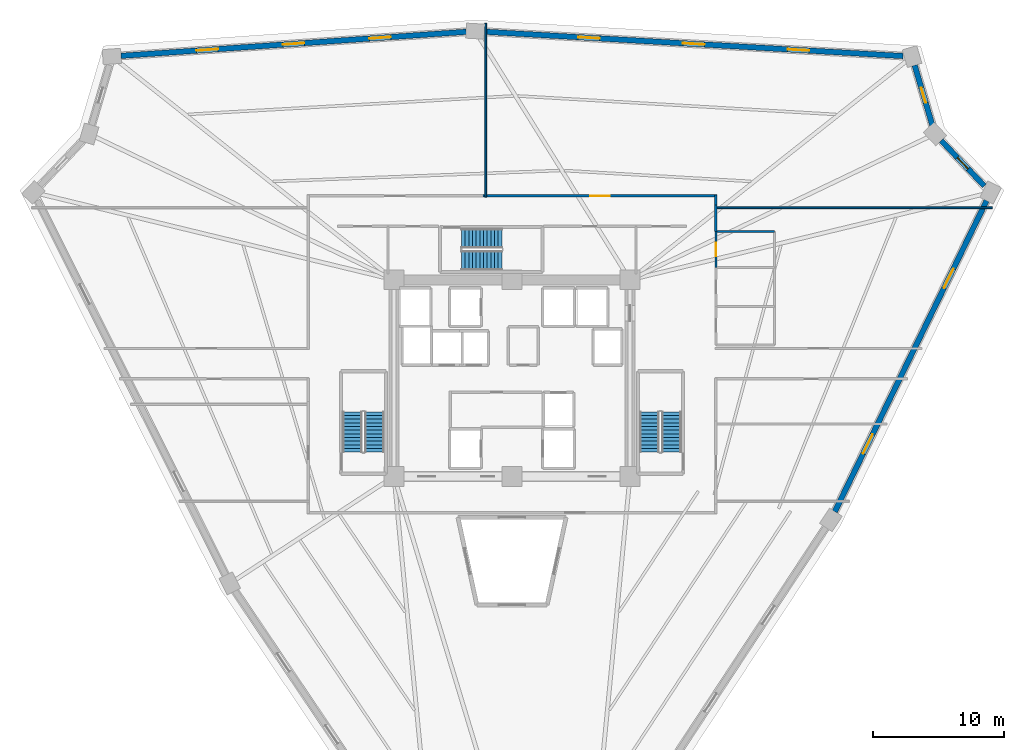
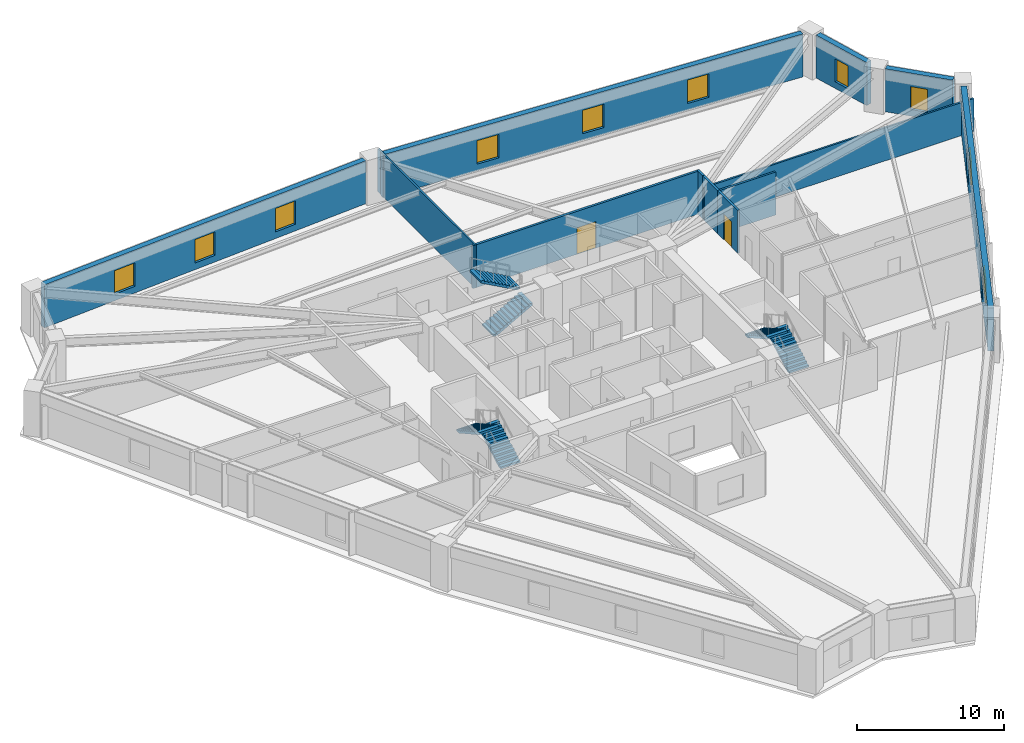
# One storey, part 6 of 7: 12 walls, 10 windows, 6 stair flights, 2 doors, 12 openings, 3 elements without a shape of their own.
"""IFC4 building model written with IfcOpenShell, lengths in metres."""

from ifc_helpers import new_model, si_unit, direction, frame, frame_2d, origin, place, context, subcontext, project, spatial, polyline, rectangle, outline, extrude, source, transform, mapped, material, layer, layer_set, type_object, element, fill, aggregate, save


model = new_model("IFC4")

# Units and contexts
model_context = context("Model", 3, precision=1e-05, world=origin(), true_north=direction((0.0, 1.0)))
body_context = subcontext(model_context, "Body", "Model", "MODEL_VIEW")
ifc_project = project(units=[si_unit("LENGTHUNIT", "METRE"), si_unit("AREAUNIT", "SQUARE_METRE"), si_unit("VOLUMEUNIT", "CUBIC_METRE"), si_unit("PLANEANGLEUNIT", "RADIAN"), si_unit("MASSUNIT", "GRAM", prefix="KILO")], contexts=[model_context])

# Site, building, storey
site_placement = place(None, origin())
site = spatial("IfcSite", under=ifc_project, at=site_placement, CompositionType="ELEMENT")
building_placement = place(site_placement, origin())
building = spatial("IfcBuilding", under=site, at=building_placement, Name="Liaohun Quay Tower", CompositionType="ELEMENT")
storey_placement = place(building_placement, frame((0.0, 0.0, 117.0)))
storey = spatial("IfcBuildingStorey", under=building, at=storey_placement, Name="L30", CompositionType="ELEMENT", Elevation=117.0)

# Wall, openings, windows
ifc_material_1 = material(Name="Precast concrete C50 insulated sandwich", Category="concrete")
ifc_layer_1 = layer(ifc_material_1, 0.419921875, Name="Precast concrete C50 insulated sandwich", Category="concrete")
ifc_layer_set_1 = layer_set([ifc_layer_1], Name="Precast concrete C50 insulated sandwich")
wall_type_1 = type_object("IfcWallType", Name="WAL-EXT-Z12", PredefinedType="SOLIDWALL", material=ifc_layer_set_1)
wall_1_placement = place(storey_placement, frame((84.632080078125, 43.80810546875, 0.0), z_axis=(0.0, 0.0, 1.0), x_axis=(0.43854819507, 0.898707672495, 0.0)))
wall_1 = element("IfcWall", 1, at=wall_1_placement, inside=storey, type_object=wall_type_1, Name="L30 Brutalist Precast Pier Wall 03", PredefinedType="SOLIDWALL", context=body_context, shape_type="SweptSolid", body=[
    extrude(rectangle(XDim=26.412109375, YDim=0.419921875, at=frame_2d((13.2060546875, 0.0))), origin(), (0.0, 0.0, 1.0), 3.570068359375),
])
shared_shape_1 = source(origin(), body_context, "Body", "SweptSolid", [
    extrude(rectangle(XDim=1.64990234375, YDim=1.949951171875, at=frame_2d((0.824951171875, 0.97509765625))), frame((0.0, 0.219970703125, 0.0), z_axis=(0.0, -1.0, 0.0), x_axis=(1.0, 0.0, 0.0)), (0.0, 0.0, 1.0), 0.43994140625),
])
opening_1_placement = place(wall_1_placement, frame((4.927978515625, 0.0, 0.550048828125)))
opening_1 = element("IfcOpeningElement", 2, at=opening_1_placement, cuts=wall_1, Name="Opening W02", PredefinedType="OPENING", context=body_context, shape_type="MappedRepresentation", body=[
    mapped(shared_shape_1, transform((0.0, 0.0, 0.0), x_axis=(1.0, 0.0, 0.0), y_axis=(0.0, 1.0, 0.0), z_axis=(0.0, 0.0, 1.0), scale=1.0)),
])
opening_2_placement = place(wall_1_placement, frame((18.98388671875, 0.0, 0.550048828125)))
opening_2 = element("IfcOpeningElement", 3, at=opening_2_placement, cuts=wall_1, Name="Opening W02", PredefinedType="OPENING", context=body_context, shape_type="MappedRepresentation", body=[
    mapped(shared_shape_1, transform((0.0, 0.0, 0.0), x_axis=(1.0, 0.0, 0.0), y_axis=(0.0, 1.0, 0.0), z_axis=(0.0, 0.0, 1.0), scale=1.0)),
])
ifc_material_2 = material(Name="Triple Low-E argon glazing in thermally broken aluminium", Category="aluminium")
window_type_1 = type_object("IfcWindowType", Name="WIN-PUN-Z2", PartitioningType="DOUBLE_PANEL_VERTICAL", PredefinedType="WINDOW", material=ifc_material_2)
shared_shape_2 = source(origin(), body_context, "Body", "SweptSolid", [
    extrude(rectangle(XDim=1.64990234375, YDim=1.949951171875, at=frame_2d((0.824951171875, 0.97509765625))), frame((0.0, 0.030029296875, 0.0), z_axis=(0.0, -1.0, 0.0), x_axis=(1.0, 0.0, 0.0)), (0.0, 0.0, 1.0), 0.06005859375),
])
window_1_placement = place(opening_1_placement, origin())
window_1 = element("IfcWindow", 4, at=window_1_placement, inside=storey, type_object=window_type_1, Name="L30 Recessed Cold-Climate Punched Window 03-1", OverallHeight=1.949951171875, OverallWidth=1.64990234375, PartitioningType="DOUBLE_PANEL_VERTICAL", PredefinedType="WINDOW", context=body_context, shape_type="MappedRepresentation", body=[
    mapped(shared_shape_2, transform((0.0, 0.0, 0.0), x_axis=(1.0, 0.0, 0.0), y_axis=(0.0, 1.0, 0.0), z_axis=(0.0, 0.0, 1.0), scale=1.0)),
])
fill(opening_1, window_1)
window_2_placement = place(opening_2_placement, origin())
window_2 = element("IfcWindow", 5, at=window_2_placement, inside=storey, type_object=window_type_1, Name="L30 Recessed Cold-Climate Punched Window 03-3", OverallHeight=1.949951171875, OverallWidth=1.64990234375, PartitioningType="DOUBLE_PANEL_VERTICAL", PredefinedType="WINDOW", context=body_context, shape_type="MappedRepresentation", body=[
    mapped(shared_shape_2, transform((0.0, 0.0, 0.0), x_axis=(1.0, 0.0, 0.0), y_axis=(0.0, 1.0, 0.0), z_axis=(0.0, 0.0, 1.0), scale=1.0)),
])
fill(opening_2, window_2)

# Wall, opening, window
wall_2_placement = place(storey_placement, frame((96.0419921875, 68.6650390625, 0.0), z_axis=(0.0, 0.0, 1.0), x_axis=(-0.689201349378, 0.724569872417, 0.0)))
wall_2 = element("IfcWall", 6, at=wall_2_placement, inside=storey, type_object=wall_type_1, Name="L30 Brutalist Precast Pier Wall 04", PredefinedType="SOLIDWALL", context=body_context, shape_type="SweptSolid", body=[
    extrude(rectangle(XDim=4.78369140625, YDim=0.419921875, at=frame_2d((2.391845703125, 0.0))), origin(), (0.0, 0.0, 1.0), 3.570068359375),
])
shared_shape_3 = source(origin(), body_context, "Body", "SweptSolid", [
    extrude(rectangle(XDim=1.199951171875, YDim=1.89990234375, at=frame_2d((0.60009765625, 0.949951171875))), frame((0.0, 0.219970703125, 0.0), z_axis=(0.0, -1.0, 0.0), x_axis=(1.0, 0.0, 0.0)), (0.0, 0.0, 1.0), 0.43994140625),
])
opening_3_placement = place(wall_2_placement, frame((1.7919921875, 0.0, 0.550048828125)))
opening_3 = element("IfcOpeningElement", 7, at=opening_3_placement, cuts=wall_2, Name="Opening W05", PredefinedType="OPENING", context=body_context, shape_type="MappedRepresentation", body=[
    mapped(shared_shape_3, transform((0.0, 0.0, 0.0), x_axis=(1.0, 0.0, 0.0), y_axis=(0.0, 1.0, 0.0), z_axis=(0.0, 0.0, 1.0), scale=1.0)),
])
ifc_material_3 = material(Name="Triple Low-E corner notch glazing", Category="glass")
window_type_2 = type_object("IfcWindowType", Name="WIN-NOTCH", PartitioningType="SINGLE_PANEL", PredefinedType="WINDOW", material=ifc_material_3)
shared_shape_4 = source(origin(), body_context, "Body", "SweptSolid", [
    extrude(rectangle(XDim=1.199951171875, YDim=1.89990234375, at=frame_2d((0.60009765625, 0.949951171875))), frame((0.0, 0.030029296875, 0.0), z_axis=(0.0, -1.0, 0.0), x_axis=(1.0, 0.0, 0.0)), (0.0, 0.0, 1.0), 0.06005859375),
])
window_3_placement = place(opening_3_placement, origin())
window_3 = element("IfcWindow", 8, at=window_3_placement, inside=storey, type_object=window_type_2, Name="L30 Corner Notch Window W05-04", OverallHeight=1.89990234375, OverallWidth=1.199951171875, PartitioningType="SINGLE_PANEL", PredefinedType="WINDOW", context=body_context, shape_type="MappedRepresentation", body=[
    mapped(shared_shape_4, transform((0.0, 0.0, 0.0), x_axis=(1.0, 0.0, 0.0), y_axis=(0.0, 1.0, 0.0), z_axis=(0.0, 0.0, 1.0), scale=1.0)),
])
fill(opening_3, window_3)

wall_3_placement = place(storey_placement, frame((92.073974609375, 73.29296875, 0.0), z_axis=(0.0, 0.0, 1.0), x_axis=(-0.282645095573, 0.959224556581, 0.0)))
wall_3 = element("IfcWall", 9, at=wall_3_placement, inside=storey, type_object=wall_type_1, Name="L30 Brutalist Precast Pier Wall 05", PredefinedType="SOLIDWALL", context=body_context, shape_type="SweptSolid", body=[
    extrude(rectangle(XDim=4.77587890625, YDim=0.419921875, at=frame_2d((2.387939453125, 0.0))), origin(), (0.0, 0.0, 1.0), 3.570068359375),
])
opening_4_placement = place(wall_3_placement, frame((1.7880859375, 0.0, 0.550048828125)))
opening_4 = element("IfcOpeningElement", 10, at=opening_4_placement, cuts=wall_3, Name="Opening W05", PredefinedType="OPENING", context=body_context, shape_type="MappedRepresentation", body=[
    mapped(shared_shape_3, transform((0.0, 0.0, 0.0), x_axis=(1.0, 0.0, 0.0), y_axis=(0.0, 1.0, 0.0), z_axis=(0.0, 0.0, 1.0), scale=1.0)),
])
window_4_placement = place(opening_4_placement, origin())
window_4 = element("IfcWindow", 11, at=window_4_placement, inside=storey, type_object=window_type_2, Name="L30 Corner Notch Window W05-05", OverallHeight=1.89990234375, OverallWidth=1.199951171875, PartitioningType="SINGLE_PANEL", PredefinedType="WINDOW", context=body_context, shape_type="MappedRepresentation", body=[
    mapped(shared_shape_4, transform((0.0, 0.0, 0.0), x_axis=(1.0, 0.0, 0.0), y_axis=(0.0, 1.0, 0.0), z_axis=(0.0, 0.0, 1.0), scale=1.0)),
])
fill(opening_4, window_4)

# Wall, openings, windows
wall_4_placement = place(storey_placement, frame((89.840087890625, 78.575927734375, 0.0), z_axis=(0.0, 0.0, 1.0), x_axis=(-0.99831154776, 0.05808660439, 0.0)))
wall_4 = element("IfcWall", 12, at=wall_4_placement, inside=storey, type_object=wall_type_1, Name="L30 Brutalist Precast Pier Wall 06", PredefinedType="SOLIDWALL", context=body_context, shape_type="SweptSolid", body=[
    extrude(rectangle(XDim=32.006103515625, YDim=0.419921875, at=frame_2d((16.0029296875, 0.0))), origin(), (0.0, 0.0, 1.0), 3.570068359375),
])
opening_5_placement = place(wall_4_placement, frame((7.177001953125, 0.0, 0.550048828125)))
opening_5 = element("IfcOpeningElement", 13, at=opening_5_placement, cuts=wall_4, Name="Opening W02", PredefinedType="OPENING", context=body_context, shape_type="MappedRepresentation", body=[
    mapped(shared_shape_1, transform((0.0, 0.0, 0.0), x_axis=(1.0, 0.0, 0.0), y_axis=(0.0, 1.0, 0.0), z_axis=(0.0, 0.0, 1.0), scale=1.0)),
])
opening_6_placement = place(wall_4_placement, frame((15.177978515625, 0.0, 0.550048828125)))
opening_6 = element("IfcOpeningElement", 14, at=opening_6_placement, cuts=wall_4, Name="Opening W02", PredefinedType="OPENING", context=body_context, shape_type="MappedRepresentation", body=[
    mapped(shared_shape_1, transform((0.0, 0.0, 0.0), x_axis=(1.0, 0.0, 0.0), y_axis=(0.0, 1.0, 0.0), z_axis=(0.0, 0.0, 1.0), scale=1.0)),
])
opening_7_placement = place(wall_4_placement, frame((23.179931640625, 0.0, 0.550048828125)))
opening_7 = element("IfcOpeningElement", 15, at=opening_7_placement, cuts=wall_4, Name="Opening W02", PredefinedType="OPENING", context=body_context, shape_type="MappedRepresentation", body=[
    mapped(shared_shape_1, transform((0.0, 0.0, 0.0), x_axis=(1.0, 0.0, 0.0), y_axis=(0.0, 1.0, 0.0), z_axis=(0.0, 0.0, 1.0), scale=1.0)),
])
window_5_placement = place(opening_5_placement, origin())
window_5 = element("IfcWindow", 16, at=window_5_placement, inside=storey, type_object=window_type_1, Name="L30 Recessed Cold-Climate Punched Window 06-1", OverallHeight=1.949951171875, OverallWidth=1.64990234375, PartitioningType="DOUBLE_PANEL_VERTICAL", PredefinedType="WINDOW", context=body_context, shape_type="MappedRepresentation", body=[
    mapped(shared_shape_2, transform((0.0, 0.0, 0.0), x_axis=(1.0, 0.0, 0.0), y_axis=(0.0, 1.0, 0.0), z_axis=(0.0, 0.0, 1.0), scale=1.0)),
])
fill(opening_5, window_5)
window_6_placement = place(opening_6_placement, origin())
window_6 = element("IfcWindow", 17, at=window_6_placement, inside=storey, type_object=window_type_1, Name="L30 Recessed Cold-Climate Punched Window 06-2", OverallHeight=1.949951171875, OverallWidth=1.64990234375, PartitioningType="DOUBLE_PANEL_VERTICAL", PredefinedType="WINDOW", context=body_context, shape_type="MappedRepresentation", body=[
    mapped(shared_shape_2, transform((0.0, 0.0, 0.0), x_axis=(1.0, 0.0, 0.0), y_axis=(0.0, 1.0, 0.0), z_axis=(0.0, 0.0, 1.0), scale=1.0)),
])
fill(opening_6, window_6)
window_7_placement = place(opening_7_placement, origin())
window_7 = element("IfcWindow", 18, at=window_7_placement, inside=storey, type_object=window_type_1, Name="L30 Recessed Cold-Climate Punched Window 06-3", OverallHeight=1.949951171875, OverallWidth=1.64990234375, PartitioningType="DOUBLE_PANEL_VERTICAL", PredefinedType="WINDOW", context=body_context, shape_type="MappedRepresentation", body=[
    mapped(shared_shape_2, transform((0.0, 0.0, 0.0), x_axis=(1.0, 0.0, 0.0), y_axis=(0.0, 1.0, 0.0), z_axis=(0.0, 0.0, 1.0), scale=1.0)),
])
fill(opening_7, window_7)

wall_5_placement = place(storey_placement, frame((56.510986328125, 80.427001953125, 0.0), z_axis=(0.0, 0.0, 1.0), x_axis=(-0.997581513864, -0.069506281704, 0.0)))
wall_5 = element("IfcWall", 19, at=wall_5_placement, inside=storey, type_object=wall_type_1, Name="L30 Brutalist Precast Pier Wall 07", PredefinedType="SOLIDWALL", context=body_context, shape_type="SweptSolid", body=[
    extrude(rectangle(XDim=26.4140625, YDim=0.419921875, at=frame_2d((13.20703125, 0.0))), origin(), (0.0, 0.0, 1.0), 3.570068359375),
])
opening_8_placement = place(wall_5_placement, frame((5.778076171875, 0.0, 0.550048828125)))
opening_8 = element("IfcOpeningElement", 20, at=opening_8_placement, cuts=wall_5, Name="Opening W02", PredefinedType="OPENING", context=body_context, shape_type="MappedRepresentation", body=[
    mapped(shared_shape_1, transform((0.0, 0.0, 0.0), x_axis=(1.0, 0.0, 0.0), y_axis=(0.0, 1.0, 0.0), z_axis=(0.0, 0.0, 1.0), scale=1.0)),
])
opening_9_placement = place(wall_5_placement, frame((12.382080078125, 0.0, 0.550048828125)))
opening_9 = element("IfcOpeningElement", 21, at=opening_9_placement, cuts=wall_5, Name="Opening W02", PredefinedType="OPENING", context=body_context, shape_type="MappedRepresentation", body=[
    mapped(shared_shape_1, transform((0.0, 0.0, 0.0), x_axis=(1.0, 0.0, 0.0), y_axis=(0.0, 1.0, 0.0), z_axis=(0.0, 0.0, 1.0), scale=1.0)),
])
opening_10_placement = place(wall_5_placement, frame((18.985107421875, 0.0, 0.550048828125)))
opening_10 = element("IfcOpeningElement", 22, at=opening_10_placement, cuts=wall_5, Name="Opening W02", PredefinedType="OPENING", context=body_context, shape_type="MappedRepresentation", body=[
    mapped(shared_shape_1, transform((0.0, 0.0, 0.0), x_axis=(1.0, 0.0, 0.0), y_axis=(0.0, 1.0, 0.0), z_axis=(0.0, 0.0, 1.0), scale=1.0)),
])
window_8_placement = place(opening_8_placement, origin())
window_8 = element("IfcWindow", 23, at=window_8_placement, inside=storey, type_object=window_type_1, Name="L30 Recessed Cold-Climate Punched Window 07-1", OverallHeight=1.949951171875, OverallWidth=1.64990234375, PartitioningType="DOUBLE_PANEL_VERTICAL", PredefinedType="WINDOW", context=body_context, shape_type="MappedRepresentation", body=[
    mapped(shared_shape_2, transform((0.0, 0.0, 0.0), x_axis=(1.0, 0.0, 0.0), y_axis=(0.0, 1.0, 0.0), z_axis=(0.0, 0.0, 1.0), scale=1.0)),
])
fill(opening_8, window_8)
window_9_placement = place(opening_9_placement, origin())
window_9 = element("IfcWindow", 24, at=window_9_placement, inside=storey, type_object=window_type_1, Name="L30 Recessed Cold-Climate Punched Window 07-2", OverallHeight=1.949951171875, OverallWidth=1.64990234375, PartitioningType="DOUBLE_PANEL_VERTICAL", PredefinedType="WINDOW", context=body_context, shape_type="MappedRepresentation", body=[
    mapped(shared_shape_2, transform((0.0, 0.0, 0.0), x_axis=(1.0, 0.0, 0.0), y_axis=(0.0, 1.0, 0.0), z_axis=(0.0, 0.0, 1.0), scale=1.0)),
])
fill(opening_9, window_9)
window_10_placement = place(opening_10_placement, origin())
window_10 = element("IfcWindow", 25, at=window_10_placement, inside=storey, type_object=window_type_1, Name="L30 Recessed Cold-Climate Punched Window 07-3", OverallHeight=1.949951171875, OverallWidth=1.64990234375, PartitioningType="DOUBLE_PANEL_VERTICAL", PredefinedType="WINDOW", context=body_context, shape_type="MappedRepresentation", body=[
    mapped(shared_shape_2, transform((0.0, 0.0, 0.0), x_axis=(1.0, 0.0, 0.0), y_axis=(0.0, 1.0, 0.0), z_axis=(0.0, 0.0, 1.0), scale=1.0)),
])
fill(opening_10, window_10)

# Wall, opening, door
ifc_material_4 = material(Name="Autoclaved aerated concrete blockwork", Category="masonry")
ifc_layer_2 = layer(ifc_material_4, 0.179931640625, Name="Autoclaved aerated concrete blockwork", Category="masonry")
ifc_layer_set_2 = layer_set([ifc_layer_2], Name="Autoclaved aerated concrete blockwork")
wall_type_2 = type_object("IfcWallType", Name="WAL-PRT-COR", PredefinedType="PARTITIONING", material=ifc_layer_set_2)
wall_6_placement = place(storey_placement, frame((57.784912109375, 67.909912109375, 0.0), z_axis=(0.0, 0.0, 1.0), x_axis=(1.0, 0.0, 0.0)))
wall_6 = element("IfcWall", 26, at=wall_6_placement, inside=storey, type_object=wall_type_2, Name="L30 Interior Partition Wall 011", PredefinedType="PARTITIONING", context=body_context, shape_type="SweptSolid", body=[
    extrude(rectangle(XDim=17.844970703125, YDim=0.179931640625, at=frame_2d((8.92236328125, 0.0))), origin(), (0.0, 0.0, 1.0), 3.570068359375),
])
shared_shape_5 = source(origin(), body_context, "Body", "SweptSolid", [
    extrude(rectangle(XDim=1.5, YDim=2.199951171875, at=frame_2d((0.75, 1.10009765625))), frame((0.0, 0.099853515625, 0.0), z_axis=(0.0, -1.0, 0.0), x_axis=(1.0, 0.0, 0.0)), (0.0, 0.0, 1.0), 0.199951171875),
])
opening_11_placement = place(wall_6_placement, frame((8.172119140625, 0.0, 0.0)))
opening_11 = element("IfcOpeningElement", 27, at=opening_11_placement, cuts=wall_6, Name="Opening OD2", PredefinedType="OPENING", context=body_context, shape_type="MappedRepresentation", body=[
    mapped(shared_shape_5, transform((0.0, 0.0, 0.0), x_axis=(1.0, 0.0, 0.0), y_axis=(0.0, 1.0, 0.0), z_axis=(0.0, 0.0, 1.0), scale=1.0)),
])
ifc_material_5 = material(Name="Acoustic oak veneer double door")
door_type_1 = type_object("IfcDoorType", Name="DOR-OFF-1500", OperationType="DOUBLE_DOOR_SINGLE_SWING", PredefinedType="DOOR", material=ifc_material_5)
shared_shape_6 = source(origin(), body_context, "Body", "SweptSolid", [
    extrude(rectangle(XDim=1.5, YDim=2.199951171875, at=frame_2d((0.75, 1.10009765625))), frame((0.0, 0.02490234375, 0.0), z_axis=(0.0, -1.0, 0.0), x_axis=(1.0, 0.0, 0.0)), (0.0, 0.0, 1.0), 0.050048828125),
])
door_1_placement = place(opening_11_placement, origin())
door_1 = element("IfcDoor", 28, at=door_1_placement, inside=storey, type_object=door_type_1, Name="L30 Staff Daycare Nursery 02 Door", OperationType="DOUBLE_DOOR_SINGLE_SWING", OverallHeight=2.199951171875, OverallWidth=1.5, PredefinedType="DOOR", context=body_context, shape_type="MappedRepresentation", body=[
    mapped(shared_shape_6, transform((0.0, 0.0, 0.0), x_axis=(1.0, 0.0, 0.0), y_axis=(0.0, 1.0, 0.0), z_axis=(0.0, 0.0, 1.0), scale=1.0)),
])
fill(opening_11, door_1)

# Walls
wall_7_placement = place(storey_placement, frame((75.56005859375, 67.215087890625, 0.0), z_axis=(0.0, 0.0, 1.0), x_axis=(0.0, -1.0, 0.0)))
element("IfcWall", 29, at=wall_7_placement, inside=storey, type_object=wall_type_2, Name="L30 Interior Partition Wall 029", PredefinedType="PARTITIONING", context=body_context, shape_type="SweptSolid", body=[
    extrude(rectangle(XDim=2.03515625, YDim=0.179931640625, at=frame_2d((1.017578125, 0.0))), origin(), (0.0, 0.0, 1.0), 3.570068359375),
])
wall_8_placement = place(storey_placement, frame((75.56005859375, 67.97998046875, 0.0), z_axis=(0.0, 0.0, 1.0), x_axis=(0.0, -1.0, 0.0)))
element("IfcWall", 30, at=wall_8_placement, inside=storey, type_object=wall_type_2, Name="L30 Interior Partition Wall 030", PredefinedType="PARTITIONING", context=body_context, shape_type="SweptSolid", body=[
    extrude(rectangle(XDim=0.764892578125, YDim=0.179931640625, at=frame_2d((0.38232421875, 0.0))), origin(), (0.0, 0.0, 1.0), 3.570068359375),
])
ifc_material_6 = material(Name="Gypsum board on twin steel studs", Category="steel")
ifc_layer_3 = layer(ifc_material_6, 0.139892578125, Name="Gypsum board on twin steel studs", Category="steel")
ifc_layer_set_3 = layer_set([ifc_layer_3], Name="Gypsum board on twin steel studs")
wall_type_3 = type_object("IfcWallType", Name="WAL-PRT-OFF", PredefinedType="PARTITIONING", material=ifc_layer_set_3)
wall_9_placement = place(storey_placement, frame((75.4599609375, 67.0, 0.0), z_axis=(0.0, 0.0, 1.0), x_axis=(1.0, 0.0, 0.0)))
element("IfcWall", 31, at=wall_9_placement, inside=storey, type_object=wall_type_3, Name="L30 Interior Partition Wall 042", PredefinedType="PARTITIONING", context=body_context, shape_type="SweptSolid", body=[
    extrude(rectangle(XDim=21.19091796875, YDim=0.139892578125, at=frame_2d((10.595458984375, 0.0))), origin(), (0.0, 0.0, 1.0), 2.7548828125),
])
wall_10_placement = place(storey_placement, frame((58.0, 67.81005859375, 0.0), z_axis=(0.0, 0.0, 1.0), x_axis=(0.0, 1.0, 0.0)))
element("IfcWall", 32, at=wall_10_placement, inside=storey, type_object=wall_type_3, Name="L30 Interior Partition Wall 043", PredefinedType="PARTITIONING", context=body_context, shape_type="SweptSolid", body=[
    extrude(rectangle(XDim=13.25, YDim=0.139892578125, at=frame_2d((6.625, 0.0))), origin(), (0.0, 0.0, 1.0), 3.570068359375),
])

# Wall, opening, door
ifc_material_7 = material(Name="Moisture-resistant masonry blockwork", Category="masonry")
ifc_layer_4 = layer(ifc_material_7, 0.159912109375, Name="Moisture-resistant masonry blockwork", Category="masonry")
ifc_layer_set_4 = layer_set([ifc_layer_4], Name="Moisture-resistant masonry blockwork")
wall_type_4 = type_object("IfcWallType", Name="WAL-PRT-WET", PredefinedType="PARTITIONING", material=ifc_layer_set_4)
wall_11_placement = place(storey_placement, frame((75.56005859375, 62.43994140625, 0.0), z_axis=(0.0, 0.0, 1.0), x_axis=(0.0, 1.0, 0.0)))
wall_11 = element("IfcWall", 33, at=wall_11_placement, inside=storey, type_object=wall_type_4, Name="L30 Interior Partition Wall 005", PredefinedType="PARTITIONING", context=body_context, shape_type="SweptSolid", body=[
    extrude(rectangle(XDim=2.739990234375, YDim=0.159912109375, at=frame_2d((1.3701171875, 0.0))), origin(), (0.0, 0.0, 1.0), 3.570068359375),
])
shared_shape_7 = source(origin(), body_context, "Body", "SweptSolid", [
    extrude(rectangle(XDim=1.050048828125, YDim=2.14990234375, at=frame_2d((0.52490234375, 1.074951171875))), frame((0.0, 0.08984375, 0.0), z_axis=(0.0, -1.0, 0.0), x_axis=(1.0, 0.0, 0.0)), (0.0, 0.0, 1.0), 0.179931640625),
])
opening_12_placement = place(wall_11_placement, frame((0.844970703125, 0.0, 0.0)))
opening_12 = element("IfcOpeningElement", 34, at=opening_12_placement, cuts=wall_11, Name="Opening WD2", PredefinedType="OPENING", context=body_context, shape_type="MappedRepresentation", body=[
    mapped(shared_shape_7, transform((0.0, 0.0, 0.0), x_axis=(1.0, 0.0, 0.0), y_axis=(0.0, 1.0, 0.0), z_axis=(0.0, 0.0, 1.0), scale=1.0)),
])
ifc_material_8 = material(Name="Accessible outward-swinging laminate door")
door_type_2 = type_object("IfcDoorType", Name="DOR-AWC-1050", OperationType="NOTDEFINED", PredefinedType="DOOR", material=ifc_material_8)
shared_shape_8 = source(origin(), body_context, "Body", "SweptSolid", [
    extrude(rectangle(XDim=1.050048828125, YDim=2.14990234375, at=frame_2d((0.52490234375, 1.074951171875))), frame((0.0, 0.02490234375, 0.0), z_axis=(0.0, -1.0, 0.0), x_axis=(1.0, 0.0, 0.0)), (0.0, 0.0, 1.0), 0.050048828125),
])
door_2_placement = place(opening_12_placement, origin())
door_2 = element("IfcDoor", 35, at=door_2_placement, inside=storey, type_object=door_type_2, Name="L30 Accessible WC Door", OperationType="SINGLE_SWING_RIGHT", OverallHeight=2.14990234375, OverallWidth=1.050048828125, PredefinedType="DOOR", context=body_context, shape_type="MappedRepresentation", body=[
    mapped(shared_shape_8, transform((0.0, 0.0, 0.0), x_axis=(1.0, 0.0, 0.0), y_axis=(0.0, 1.0, 0.0), z_axis=(0.0, 0.0, 1.0), scale=1.0)),
])
fill(opening_12, door_2)

# Wall
wall_12_placement = place(storey_placement, frame((75.56005859375, 65.179931640625, 0.0), z_axis=(0.0, 0.0, 1.0), x_axis=(1.0, 0.0, 0.0)))
element("IfcWall", 36, at=wall_12_placement, inside=storey, type_object=wall_type_4, Name="L30 Interior Partition Wall 026", PredefinedType="PARTITIONING", context=body_context, shape_type="SweptSolid", body=[
    extrude(rectangle(XDim=4.4599609375, YDim=0.159912109375, at=frame_2d((2.22998046875, 0.0))), origin(), (0.0, 0.0, 1.0), 3.570068359375),
])

# Stair, stair flights
ifc_material_9 = material(Name="Concrete C45", Category="concrete")
stair_type = type_object("IfcStairType", Name="STR-CORE-OFF", PredefinedType="HALF_TURN_STAIR", material=ifc_material_9)
stair_1_placement = place(storey_placement, origin())
stair_1 = element("IfcStair", 37, at=stair_1_placement, inside=storey, type_object=stair_type, Name="L30 Smokeproof Core Exit Stair ST-1", PredefinedType="HALF_TURN_STAIR")
stair_flight_type = type_object("IfcStairFlightType", Name="FLT-CORE-155", PredefinedType="STRAIGHT", material=ifc_material_9)
stair_flight_1_placement = place(storey_placement, frame((49.5048828125, 48.35009765625, 0.0), z_axis=(0.0, 0.0, 1.0), x_axis=(0.0, 1.0, 0.0)))
stair_flight_1 = element("IfcStairFlight", 38, at=stair_flight_1_placement, type_object=stair_flight_type, Name="ST-1 flight 1", NumberOfRisers=12, NumberOfTreads=11, PredefinedType="STRAIGHT", RiserHeight=0.15625, TreadLength=0.28, context=body_context, shape_type="SweptSolid", body=[
    extrude(outline(polyline([(0.0, 0.0), (0.0, 0.15625), (0.280029296875, 0.15625), (0.280029296875, 0.3125), (0.56005859375, 0.3125), (0.56005859375, 0.46875), (0.840087890625, 0.46875), (0.840087890625, 0.625), (1.1201171875, 0.625), (1.1201171875, 0.78125), (1.39990234375, 0.78125), (1.39990234375, 0.9375), (1.679931640625, 0.9375), (1.679931640625, 1.09375), (1.9599609375, 1.09375), (1.9599609375, 1.25), (2.239990234375, 1.25), (2.239990234375, 1.40625), (2.52001953125, 1.40625), (2.52001953125, 1.5625), (2.800048828125, 1.5625), (2.800048828125, 1.71875), (3.080078125, 1.71875), (3.080078125, 1.875), (3.080078125, 1.547119140625), (0.3076171875, 0.0), (0.0, 0.0)])), frame((0.0, 0.77490234375, 0.0), z_axis=(0.0, -1.0, 0.0), x_axis=(1.0, 0.0, 0.0)), (0.0, 0.0, 1.0), 1.550048828125),
])
stair_flight_2_placement = place(storey_placement, frame((47.81494140625, 51.429931640625, 1.875), z_axis=(0.0, 0.0, 1.0), x_axis=(0.0, -1.0, 0.0)))
stair_flight_2 = element("IfcStairFlight", 39, at=stair_flight_2_placement, type_object=stair_flight_type, Name="ST-1 flight 2", NumberOfRisers=12, NumberOfTreads=11, PredefinedType="STRAIGHT", RiserHeight=0.15625, TreadLength=0.28, context=body_context, shape_type="SweptSolid", body=[
    extrude(outline(polyline([(0.0, 0.0), (0.0, 0.15625), (0.280029296875, 0.15625), (0.280029296875, 0.3125), (0.56005859375, 0.3125), (0.56005859375, 0.46875), (0.840087890625, 0.46875), (0.840087890625, 0.625), (1.1201171875, 0.625), (1.1201171875, 0.78125), (1.39990234375, 0.78125), (1.39990234375, 0.9375), (1.679931640625, 0.9375), (1.679931640625, 1.09375), (1.9599609375, 1.09375), (1.9599609375, 1.25), (2.239990234375, 1.25), (2.239990234375, 1.40625), (2.52001953125, 1.40625), (2.52001953125, 1.5625), (2.800048828125, 1.5625), (2.800048828125, 1.71875), (3.080078125, 1.71875), (3.080078125, 1.875), (3.080078125, 1.547119140625), (0.3076171875, 0.0), (0.0, 0.0)])), frame((0.0, 0.77490234375, 0.0), z_axis=(0.0, -1.0, 0.0), x_axis=(1.0, 0.0, 0.0)), (0.0, 0.0, 1.0), 1.550048828125),
])
aggregate(stair_1, [stair_flight_1, stair_flight_2])

stair_2_placement = place(storey_placement, origin())
stair_2 = element("IfcStair", 40, at=stair_2_placement, inside=storey, type_object=stair_type, Name="L30 Smokeproof Core Exit Stair ST-2", PredefinedType="HALF_TURN_STAIR")
stair_flight_3_placement = place(storey_placement, frame((72.18505859375, 48.35009765625, 0.0), z_axis=(0.0, 0.0, 1.0), x_axis=(0.0, 1.0, 0.0)))
stair_flight_3 = element("IfcStairFlight", 41, at=stair_flight_3_placement, type_object=stair_flight_type, Name="ST-2 flight 1", NumberOfRisers=12, NumberOfTreads=11, PredefinedType="STRAIGHT", RiserHeight=0.15625, TreadLength=0.28, context=body_context, shape_type="SweptSolid", body=[
    extrude(outline(polyline([(0.0, 0.0), (0.0, 0.15625), (0.280029296875, 0.15625), (0.280029296875, 0.3125), (0.56005859375, 0.3125), (0.56005859375, 0.46875), (0.840087890625, 0.46875), (0.840087890625, 0.625), (1.1201171875, 0.625), (1.1201171875, 0.78125), (1.39990234375, 0.78125), (1.39990234375, 0.9375), (1.679931640625, 0.9375), (1.679931640625, 1.09375), (1.9599609375, 1.09375), (1.9599609375, 1.25), (2.239990234375, 1.25), (2.239990234375, 1.40625), (2.52001953125, 1.40625), (2.52001953125, 1.5625), (2.800048828125, 1.5625), (2.800048828125, 1.71875), (3.080078125, 1.71875), (3.080078125, 1.875), (3.080078125, 1.547119140625), (0.3076171875, 0.0), (0.0, 0.0)])), frame((0.0, 0.77490234375, 0.0), z_axis=(0.0, -1.0, 0.0), x_axis=(1.0, 0.0, 0.0)), (0.0, 0.0, 1.0), 1.550048828125),
])
stair_flight_4_placement = place(storey_placement, frame((70.4951171875, 51.429931640625, 1.875), z_axis=(0.0, 0.0, 1.0), x_axis=(0.0, -1.0, 0.0)))
stair_flight_4 = element("IfcStairFlight", 42, at=stair_flight_4_placement, type_object=stair_flight_type, Name="ST-2 flight 2", NumberOfRisers=12, NumberOfTreads=11, PredefinedType="STRAIGHT", RiserHeight=0.15625, TreadLength=0.28, context=body_context, shape_type="SweptSolid", body=[
    extrude(outline(polyline([(0.0, 0.0), (0.0, 0.15625), (0.280029296875, 0.15625), (0.280029296875, 0.3125), (0.56005859375, 0.3125), (0.56005859375, 0.46875), (0.840087890625, 0.46875), (0.840087890625, 0.625), (1.1201171875, 0.625), (1.1201171875, 0.78125), (1.39990234375, 0.78125), (1.39990234375, 0.9375), (1.679931640625, 0.9375), (1.679931640625, 1.09375), (1.9599609375, 1.09375), (1.9599609375, 1.25), (2.239990234375, 1.25), (2.239990234375, 1.40625), (2.52001953125, 1.40625), (2.52001953125, 1.5625), (2.800048828125, 1.5625), (2.800048828125, 1.71875), (3.080078125, 1.71875), (3.080078125, 1.875), (3.080078125, 1.547119140625), (0.3076171875, 0.0), (0.0, 0.0)])), frame((0.0, 0.77490234375, 0.0), z_axis=(0.0, -1.0, 0.0), x_axis=(1.0, 0.0, 0.0)), (0.0, 0.0, 1.0), 1.550048828125),
])
aggregate(stair_2, [stair_flight_3, stair_flight_4])

stair_3_placement = place(storey_placement, origin())
stair_3 = element("IfcStair", 43, at=stair_3_placement, inside=storey, type_object=stair_type, Name="L30 Smokeproof Core Exit Stair ST-3", PredefinedType="HALF_TURN_STAIR")
stair_flight_5_placement = place(storey_placement, frame((56.14990234375, 62.97509765625, 0.0), z_axis=(0.0, 0.0, 1.0), x_axis=(1.0, 0.0, 0.0)))
stair_flight_5 = element("IfcStairFlight", 44, at=stair_flight_5_placement, type_object=stair_flight_type, Name="ST-3 flight 1", NumberOfRisers=12, NumberOfTreads=11, PredefinedType="STRAIGHT", RiserHeight=0.15625, TreadLength=0.28, context=body_context, shape_type="SweptSolid", body=[
    extrude(outline(polyline([(0.0, 0.0), (0.0, 0.15625), (0.280029296875, 0.15625), (0.280029296875, 0.3125), (0.56005859375, 0.3125), (0.56005859375, 0.46875), (0.840087890625, 0.46875), (0.840087890625, 0.625), (1.1201171875, 0.625), (1.1201171875, 0.78125), (1.39990234375, 0.78125), (1.39990234375, 0.9375), (1.679931640625, 0.9375), (1.679931640625, 1.09375), (1.9599609375, 1.09375), (1.9599609375, 1.25), (2.239990234375, 1.25), (2.239990234375, 1.40625), (2.52001953125, 1.40625), (2.52001953125, 1.5625), (2.800048828125, 1.5625), (2.800048828125, 1.71875), (3.080078125, 1.71875), (3.080078125, 1.875), (3.080078125, 1.547119140625), (0.3076171875, 0.0), (0.0, 0.0)])), frame((0.0, 0.77490234375, 0.0), z_axis=(0.0, -1.0, 0.0), x_axis=(1.0, 0.0, 0.0)), (0.0, 0.0, 1.0), 1.550048828125),
])
stair_flight_6_placement = place(storey_placement, frame((59.22998046875, 64.6650390625, 1.875), z_axis=(0.0, 0.0, 1.0), x_axis=(-1.0, 0.0, 0.0)))
stair_flight_6 = element("IfcStairFlight", 45, at=stair_flight_6_placement, type_object=stair_flight_type, Name="ST-3 flight 2", NumberOfRisers=12, NumberOfTreads=11, PredefinedType="STRAIGHT", RiserHeight=0.15625, TreadLength=0.28, context=body_context, shape_type="SweptSolid", body=[
    extrude(outline(polyline([(0.0, 0.0), (0.0, 0.15625), (0.280029296875, 0.15625), (0.280029296875, 0.3125), (0.56005859375, 0.3125), (0.56005859375, 0.46875), (0.840087890625, 0.46875), (0.840087890625, 0.625), (1.1201171875, 0.625), (1.1201171875, 0.78125), (1.39990234375, 0.78125), (1.39990234375, 0.9375), (1.679931640625, 0.9375), (1.679931640625, 1.09375), (1.9599609375, 1.09375), (1.9599609375, 1.25), (2.239990234375, 1.25), (2.239990234375, 1.40625), (2.52001953125, 1.40625), (2.52001953125, 1.5625), (2.800048828125, 1.5625), (2.800048828125, 1.71875), (3.080078125, 1.71875), (3.080078125, 1.875), (3.080078125, 1.547119140625), (0.3076171875, 0.0), (0.0, 0.0)])), frame((0.0, 0.77490234375, 0.0), z_axis=(0.0, -1.0, 0.0), x_axis=(1.0, 0.0, 0.0)), (0.0, 0.0, 1.0), 1.550048828125),
])
aggregate(stair_3, [stair_flight_5, stair_flight_6])

save(model, "model.ifc")
